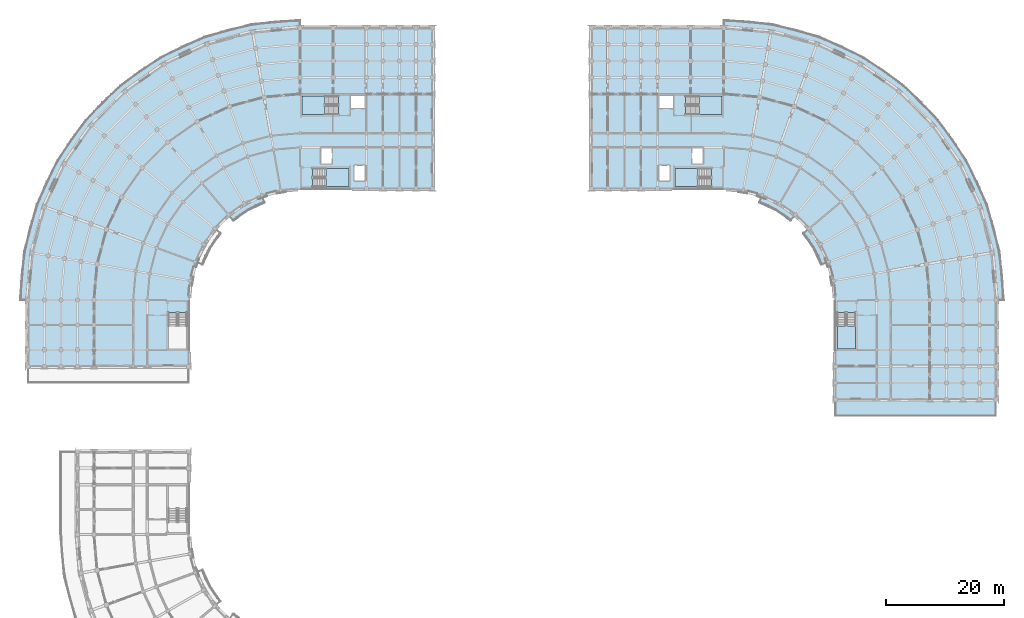
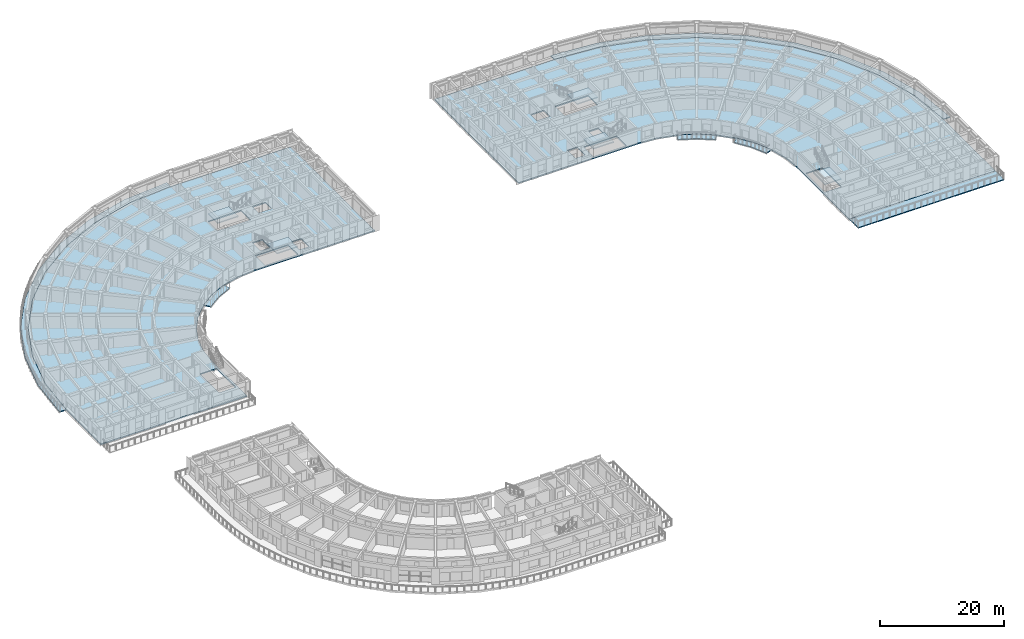
# One storey, part 15 of 54: 13 slabs, 5 elements without a shape of their own.
"""IFC4 building model written with IfcOpenShell, lengths in metres."""

from ifc_helpers import new_model, si_unit, direction, frame, origin, place, context, subcontext, project, spatial, polyline, outline, extrude, material, layer, layer_set, type_object, element, aggregate, save


model = new_model("IFC4")

# Units and contexts
model_context = context("Model", 3, precision=1e-05, world=origin(), true_north=direction((0.0, 1.0)))
body_context = subcontext(model_context, "Body", "Model", "MODEL_VIEW")
ifc_project = project(units=[si_unit("LENGTHUNIT", "METRE"), si_unit("AREAUNIT", "SQUARE_METRE"), si_unit("VOLUMEUNIT", "CUBIC_METRE"), si_unit("PLANEANGLEUNIT", "RADIAN"), si_unit("MASSUNIT", "GRAM", prefix="KILO")], contexts=[model_context])

# Site, building, storey
site_placement = place(None, origin())
site = spatial("IfcSite", under=ifc_project, at=site_placement, CompositionType="ELEMENT")
building_placement = place(site_placement, origin())
building = spatial("IfcBuilding", under=site, at=building_placement, Name="Kiranvali Square Residences", CompositionType="ELEMENT")
storey_placement = place(building_placement, frame((0.0, 0.0, 27.60009765625)))
storey = spatial("IfcBuildingStorey", under=building, at=storey_placement, Name="L08", CompositionType="ELEMENT", Elevation=27.60009765625)

# Slabs
ifc_material = material(Name="Concrete M35 (35 MPa)", Category="concrete")
ifc_layer_1 = layer(ifc_material, 0.179931640625)
ifc_layer_set_1 = layer_set([ifc_layer_1], Name="Concrete M35 (35 MPa)")
slab_type_1 = type_object("IfcSlabType", Name="SLB-BAL-180", PredefinedType="FLOOR", material=ifc_layer_set_1)
slab_1_placement = place(storey_placement, frame((0.0, 0.0, -0.18017578125)))
element("IfcSlab", 1, at=slab_1_placement, inside=storey, type_object=slab_type_1, Name="Block A L08 continuous curved corner balcony slab", PredefinedType="FLOOR", context=body_context, shape_type="SweptSolid", body=[
    extrude(outline(polyline([(48.199951171875, 135.050048828125), (39.9951171875, 134.332275390625), (32.03955078125, 132.200439453125), (24.574951171875, 128.7197265625), (17.828369140625, 123.99560546875), (12.00439453125, 118.171630859375), (7.2802734375, 111.425048828125), (3.799560546875, 103.96044921875), (1.667724609375, 96.0048828125), (0.949951171875, 87.800048828125), (2.199951171875, 87.800048828125), (2.89892578125, 95.787841796875), (4.97412109375, 103.532958984375), (8.36279296875, 110.800048828125), (12.9619140625, 117.3681640625), (18.6318359375, 123.0380859375), (25.199951171875, 127.63720703125), (32.467041015625, 131.02587890625), (40.212158203125, 133.10107421875), (48.199951171875, 133.800048828125), (48.199951171875, 135.050048828125)])), origin(), (0.0, 0.0, 1.0), 0.18017578125),
])
slab_2_placement = place(storey_placement, frame((0.0, 0.0, -0.18017578125)))
element("IfcSlab", 2, at=slab_2_placement, inside=storey, type_object=slab_type_1, Name="Block B L08 continuous curved corner balcony slab", PredefinedType="FLOOR", context=body_context, shape_type="SweptSolid", body=[
    extrude(outline(polyline([(119.800048828125, 133.800048828125), (127.787841796875, 133.10107421875), (135.532958984375, 131.02587890625), (142.800048828125, 127.63720703125), (149.3681640625, 123.0380859375), (155.0380859375, 117.3681640625), (159.63720703125, 110.800048828125), (163.02587890625, 103.532958984375), (165.10107421875, 95.787841796875), (165.800048828125, 87.800048828125), (167.050048828125, 87.800048828125), (166.332275390625, 96.0048828125), (164.200439453125, 103.96044921875), (160.7197265625, 111.425048828125), (155.99560546875, 118.171630859375), (150.171630859375, 123.99560546875), (143.425048828125, 128.7197265625), (135.96044921875, 132.200439453125), (128.0048828125, 134.332275390625), (119.800048828125, 135.050048828125), (119.800048828125, 133.800048828125)])), origin(), (0.0, 0.0, 1.0), 0.18017578125),
])
slab_3_placement = place(storey_placement, frame((0.0, 0.0, -0.18017578125)))
element("IfcSlab", 3, at=slab_3_placement, inside=storey, type_object=slab_type_1, Name="Block B L08 high-rise refuge terrace slab", PredefinedType="FLOOR", context=body_context, shape_type="SweptSolid", body=[
    extrude(outline(polyline([(138.60009765625, 68.199951171875), (165.800048828125, 68.199951171875), (165.800048828125, 71.0), (138.60009765625, 71.0), (138.60009765625, 68.199951171875)])), origin(), (0.0, 0.0, 1.0), 0.18017578125),
])
ifc_layer_2 = layer(ifc_material, 0.219970703125)
ifc_layer_set_2 = layer_set([ifc_layer_2], Name="Concrete M35 (35 MPa)")
slab_type_2 = type_object("IfcSlabType", Name="SLB-FLR-220", PredefinedType="FLOOR", material=ifc_layer_set_2)
slab_4_placement = place(storey_placement, frame((0.0, 0.0, -0.22021484375)))
element("IfcSlab", 4, at=slab_4_placement, inside=storey, type_object=slab_type_2, Name="Block A L08 structural floor slab", PredefinedType="FLOOR", context=body_context, shape_type="SweptSolid", body=[
    extrude(outline(polyline([(70.60009765625, 106.60009765625), (70.60009765625, 133.800048828125), (48.199951171875, 133.800048828125), (40.212158203125, 133.10107421875), (32.467041015625, 131.02587890625), (25.199951171875, 127.63720703125), (18.6318359375, 123.0380859375), (12.9619140625, 117.3681640625), (8.36279296875, 110.800048828125), (4.97412109375, 103.532958984375), (2.89892578125, 95.787841796875), (2.199951171875, 87.800048828125), (2.199951171875, 76.60009765625), (29.39990234375, 76.60009765625), (29.39990234375, 87.800048828125), (29.685546875, 91.064697265625), (30.53369140625, 94.22998046875), (31.918701171875, 97.199951171875), (33.79833984375, 99.884521484375), (36.115478515625, 102.20166015625), (38.800048828125, 104.081298828125), (41.77001953125, 105.46630859375), (44.935302734375, 106.314453125), (48.199951171875, 106.60009765625), (70.60009765625, 106.60009765625)]), holes=[polyline([(56.800048828125, 120.25), (59.25, 120.25), (59.25, 122.25), (56.800048828125, 122.25), (56.800048828125, 120.25)]), polyline([(57.35009765625, 107.949951171875), (59.14990234375, 107.949951171875), (59.14990234375, 110.550048828125), (57.35009765625, 110.550048828125), (57.35009765625, 107.949951171875)]), polyline([(51.75, 110.85009765625), (53.550048828125, 110.85009765625), (53.550048828125, 113.449951171875), (51.75, 113.449951171875), (51.75, 110.85009765625)]), polyline([(54.699951171875, 122.25), (48.550048828125, 122.25), (48.550048828125, 119.14990234375), (54.699951171875, 119.14990234375), (54.699951171875, 122.25)]), polyline([(50.300048828125, 106.949951171875), (56.449951171875, 106.949951171875), (56.449951171875, 110.050048828125), (50.300048828125, 110.050048828125), (50.300048828125, 106.949951171875)]), polyline([(25.949951171875, 85.699951171875), (25.949951171875, 79.550048828125), (29.050048828125, 79.550048828125), (29.050048828125, 85.699951171875), (25.949951171875, 85.699951171875)])]), origin(), (0.0, 0.0, 1.0), 0.22021484375),
])
slab_5_placement = place(storey_placement, frame((0.0, 0.0, -0.22021484375)))
element("IfcSlab", 5, at=slab_5_placement, inside=storey, type_object=slab_type_2, Name="Block B L08 structural floor slab", PredefinedType="FLOOR", context=body_context, shape_type="SweptSolid", body=[
    extrude(outline(polyline([(119.800048828125, 106.60009765625), (123.064697265625, 106.314453125), (126.22998046875, 105.46630859375), (129.199951171875, 104.081298828125), (131.884521484375, 102.20166015625), (134.20166015625, 99.884521484375), (136.081298828125, 97.199951171875), (137.46630859375, 94.22998046875), (138.314453125, 91.064697265625), (138.60009765625, 87.800048828125), (138.60009765625, 71.0), (165.800048828125, 71.0), (165.800048828125, 87.800048828125), (165.10107421875, 95.787841796875), (163.02587890625, 103.532958984375), (159.63720703125, 110.800048828125), (155.0380859375, 117.3681640625), (149.3681640625, 123.0380859375), (142.800048828125, 127.63720703125), (135.532958984375, 131.02587890625), (127.787841796875, 133.10107421875), (119.800048828125, 133.800048828125), (97.39990234375, 133.800048828125), (97.39990234375, 106.60009765625), (119.800048828125, 106.60009765625)]), holes=[polyline([(108.75, 120.25), (111.199951171875, 120.25), (111.199951171875, 122.25), (108.75, 122.25), (108.75, 120.25)]), polyline([(108.85009765625, 107.949951171875), (110.64990234375, 107.949951171875), (110.64990234375, 110.550048828125), (108.85009765625, 110.550048828125), (108.85009765625, 107.949951171875)]), polyline([(114.449951171875, 110.85009765625), (116.25, 110.85009765625), (116.25, 113.449951171875), (114.449951171875, 113.449951171875), (114.449951171875, 110.85009765625)]), polyline([(113.300048828125, 119.14990234375), (119.449951171875, 119.14990234375), (119.449951171875, 122.25), (113.300048828125, 122.25), (113.300048828125, 119.14990234375)]), polyline([(117.699951171875, 110.050048828125), (111.550048828125, 110.050048828125), (111.550048828125, 106.949951171875), (117.699951171875, 106.949951171875), (117.699951171875, 110.050048828125)]), polyline([(138.949951171875, 85.699951171875), (138.949951171875, 79.550048828125), (142.050048828125, 79.550048828125), (142.050048828125, 85.699951171875), (138.949951171875, 85.699951171875)])]), origin(), (0.0, 0.0, 1.0), 0.22021484375),
])
ifc_layer_3 = layer(ifc_material, 0.169921875)
ifc_layer_set_3 = layer_set([ifc_layer_3], Name="Concrete M35 (35 MPa)")
slab_type_3 = type_object("IfcSlabType", Name="SLB-GBAL-170", PredefinedType="FLOOR", material=ifc_layer_set_3)
slab_6_placement = place(storey_placement, frame((0.0, 0.0, -0.18017578125)))
element("IfcSlab", 6, at=slab_6_placement, inside=storey, type_object=slab_type_3, Name="Block A L08 garden balcony slab 1", PredefinedType="FLOOR", context=body_context, shape_type="SweptSolid", body=[
    extrude(outline(polyline([(41.77001953125, 105.46630859375), (38.800048828125, 104.081298828125), (36.115478515625, 102.20166015625), (36.919189453125, 101.244140625), (39.425048828125, 102.998779296875), (42.197509765625, 104.29150390625), (41.77001953125, 105.46630859375)])), origin(), (0.0, 0.0, 1.0), 0.18017578125),
])
slab_7_placement = place(storey_placement, frame((0.0, 0.0, -0.18017578125)))
element("IfcSlab", 7, at=slab_7_placement, inside=storey, type_object=slab_type_3, Name="Block B L08 garden balcony slab 1", PredefinedType="FLOOR", context=body_context, shape_type="SweptSolid", body=[
    extrude(outline(polyline([(125.802490234375, 104.29150390625), (128.574951171875, 102.998779296875), (131.080810546875, 101.244140625), (131.884521484375, 102.20166015625), (129.199951171875, 104.081298828125), (126.22998046875, 105.46630859375), (125.802490234375, 104.29150390625)])), origin(), (0.0, 0.0, 1.0), 0.18017578125),
])
slab_8_placement = place(storey_placement, frame((0.0, 0.0, -0.18017578125)))
element("IfcSlab", 8, at=slab_8_placement, inside=storey, type_object=slab_type_3, Name="Block B L08 garden balcony slab 2", PredefinedType="FLOOR", context=body_context, shape_type="SweptSolid", body=[
    extrude(outline(polyline([(133.244140625, 99.080810546875), (134.998779296875, 96.574951171875), (136.29150390625, 93.802490234375), (137.46630859375, 94.22998046875), (136.081298828125, 97.199951171875), (134.20166015625, 99.884521484375), (133.244140625, 99.080810546875)])), origin(), (0.0, 0.0, 1.0), 0.18017578125),
])

# Stair, slab
stair_type = type_object("IfcStairType", Name="ST-CORE-1700", PredefinedType="HALF_TURN_STAIR", material=ifc_material)
stair_1_placement = place(storey_placement, origin())
stair_1 = element("IfcStair", 9, at=stair_1_placement, inside=storey, type_object=stair_type, Name="L08 Block A Firefighting Exit Stair 1", PredefinedType="HALF_TURN_STAIR")
ifc_layer_4 = layer(ifc_material, 0.199951171875)
ifc_layer_set_4 = layer_set([ifc_layer_4], Name="Concrete M35 (35 MPa)")
slab_type_4 = type_object("IfcSlabType", Name="SLB-LND-200", PredefinedType="LANDING", material=ifc_layer_set_4)
slab_9_placement = place(storey_placement, frame((0.0, 0.0, 1.375)))
slab_9 = element("IfcSlab", 10, at=slab_9_placement, type_object=slab_type_4, Name="ST-A1 landing 1", PredefinedType="LANDING", context=body_context, shape_type="SweptSolid", body=[
    extrude(outline(polyline([(52.419921875, 122.25), (48.550048828125, 122.25), (48.550048828125, 119.14990234375), (52.419921875, 119.14990234375), (52.419921875, 122.25)])), origin(), (0.0, 0.0, 1.0), 0.199951171875),
])
aggregate(stair_1, [slab_9])

stair_2_placement = place(storey_placement, origin())
stair_2 = element("IfcStair", 11, at=stair_2_placement, inside=storey, type_object=stair_type, Name="L08 Block A Protected Exit Stair 2", PredefinedType="HALF_TURN_STAIR")
slab_10_placement = place(storey_placement, frame((0.0, 0.0, 1.375)))
slab_10 = element("IfcSlab", 12, at=slab_10_placement, type_object=slab_type_4, Name="ST-A2 landing 1", PredefinedType="LANDING", context=body_context, shape_type="SweptSolid", body=[
    extrude(outline(polyline([(52.580078125, 106.949951171875), (56.449951171875, 106.949951171875), (56.449951171875, 110.050048828125), (52.580078125, 110.050048828125), (52.580078125, 106.949951171875)])), origin(), (0.0, 0.0, 1.0), 0.199951171875),
])
aggregate(stair_2, [slab_10])

stair_3_placement = place(storey_placement, origin())
stair_3 = element("IfcStair", 13, at=stair_3_placement, inside=storey, type_object=stair_type, Name="L08 Block B Firefighting Exit Stair 1", PredefinedType="HALF_TURN_STAIR")
slab_11_placement = place(storey_placement, frame((0.0, 0.0, 1.375)))
slab_11 = element("IfcSlab", 14, at=slab_11_placement, type_object=slab_type_4, Name="ST-B1 landing 1", PredefinedType="LANDING", context=body_context, shape_type="SweptSolid", body=[
    extrude(outline(polyline([(115.580078125, 119.14990234375), (119.449951171875, 119.14990234375), (119.449951171875, 122.25), (115.580078125, 122.25), (115.580078125, 119.14990234375)])), origin(), (0.0, 0.0, 1.0), 0.199951171875),
])
aggregate(stair_3, [slab_11])

stair_4_placement = place(storey_placement, origin())
stair_4 = element("IfcStair", 15, at=stair_4_placement, inside=storey, type_object=stair_type, Name="L08 Block B Protected Exit Stair 2", PredefinedType="HALF_TURN_STAIR")
slab_12_placement = place(storey_placement, frame((0.0, 0.0, 1.375)))
slab_12 = element("IfcSlab", 16, at=slab_12_placement, type_object=slab_type_4, Name="ST-B2 landing 1", PredefinedType="LANDING", context=body_context, shape_type="SweptSolid", body=[
    extrude(outline(polyline([(115.419921875, 110.050048828125), (111.550048828125, 110.050048828125), (111.550048828125, 106.949951171875), (115.419921875, 106.949951171875), (115.419921875, 110.050048828125)])), origin(), (0.0, 0.0, 1.0), 0.199951171875),
])
aggregate(stair_4, [slab_12])

stair_5_placement = place(storey_placement, origin())
stair_5 = element("IfcStair", 17, at=stair_5_placement, inside=storey, type_object=stair_type, Name="L08 Block B Wing Protected Exit Stair 3", PredefinedType="HALF_TURN_STAIR")
slab_13_placement = place(storey_placement, frame((0.0, 0.0, 1.375)))
slab_13 = element("IfcSlab", 18, at=slab_13_placement, type_object=slab_type_4, Name="ST-B3 landing 1", PredefinedType="LANDING", context=body_context, shape_type="SweptSolid", body=[
    extrude(outline(polyline([(138.949951171875, 83.419921875), (138.949951171875, 79.550048828125), (142.050048828125, 79.550048828125), (142.050048828125, 83.419921875), (138.949951171875, 83.419921875)])), origin(), (0.0, 0.0, 1.0), 0.199951171875),
])
aggregate(stair_5, [slab_13])

save(model, "model.ifc")
